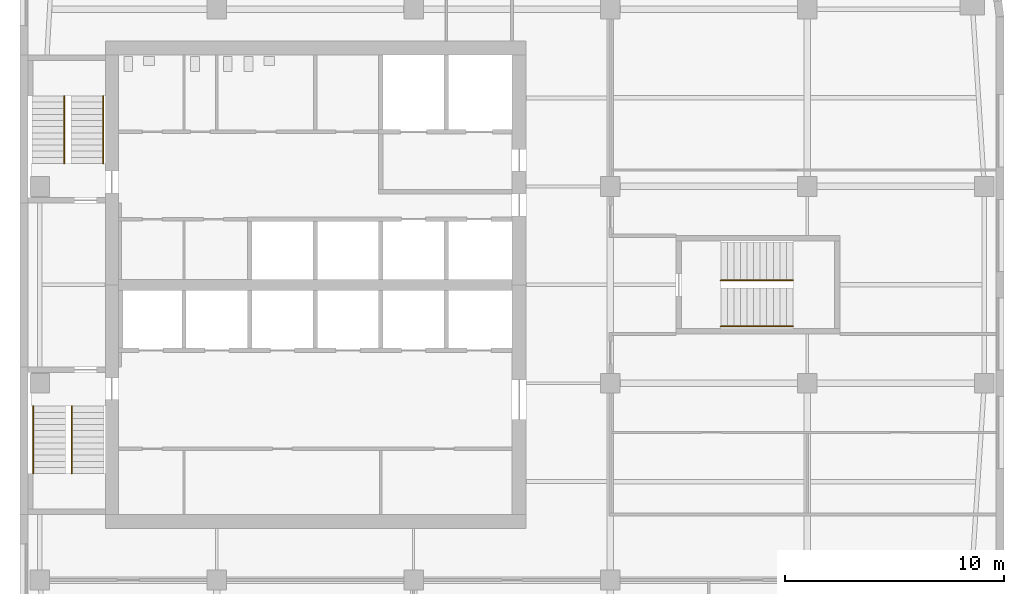
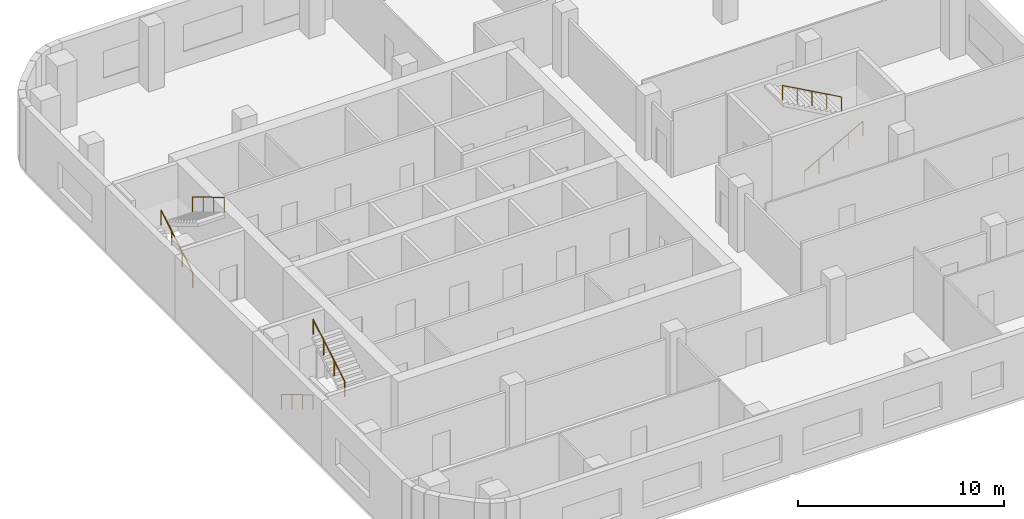
# One storey, part 6 of 7: 6 railings, 3 elements without a shape of their own.
"""IFC4 building model written with IfcOpenShell, lengths in metres."""

from ifc_helpers import new_model, si_unit, direction, frame, origin, origin_2d, place, context, subcontext, project, spatial, circle, extrude, material, type_object, element, aggregate, save


model = new_model("IFC4")

# Units and contexts
model_context = context("Model", 3, precision=1e-05, world=origin(), true_north=direction((0.0, 1.0)))
body_context = subcontext(model_context, "Body", "Model", "MODEL_VIEW")
ifc_project = project(units=[si_unit("LENGTHUNIT", "METRE"), si_unit("AREAUNIT", "SQUARE_METRE"), si_unit("VOLUMEUNIT", "CUBIC_METRE"), si_unit("PLANEANGLEUNIT", "RADIAN"), si_unit("MASSUNIT", "GRAM", prefix="KILO")], contexts=[model_context])

# Site, building, storey
site_placement = place(None, origin())
site = spatial("IfcSite", under=ifc_project, at=site_placement, CompositionType="ELEMENT")
building_placement = place(site_placement, origin())
building = spatial("IfcBuilding", under=site, at=building_placement, Name="Cinnabar Reach Civic Tower", CompositionType="ELEMENT")
storey_placement = place(building_placement, frame((0.0, 0.0, 173.0)))
storey = spatial("IfcBuildingStorey", under=building, at=storey_placement, Name="L41", CompositionType="ELEMENT", Elevation=173.0)

# Stair, railings
ifc_material_1 = material(Name="Concrete C40/50", Category="concrete")
stair_type = type_object("IfcStairType", Name="T1 Exit stair, half-turn", PredefinedType="HALF_TURN_STAIR", material=ifc_material_1)
stair_1_placement = place(storey_placement, origin())
stair_1 = element("IfcStair", 1, at=stair_1_placement, inside=storey, type_object=stair_type, Name="Stair T1-S1", PredefinedType="HALF_TURN_STAIR")
ifc_material_2 = material(Name="Stainless steel tube", Category="steel")
railing_type = type_object("IfcRailingType", Name="T1 Stair handrail, stainless tube 48", PredefinedType="HANDRAIL", material=ifc_material_2)
railing_1_placement = place(storey_placement, frame((0.6, 25.95, 0.1667)))
railing_1 = element("IfcRailing", 2, at=railing_1_placement, type_object=railing_type, Name="T1-S1 handrail 1", PredefinedType="HANDRAIL", context=body_context, shape_type="SweptSolid", body=[
    extrude(circle(Radius=0.024, at=origin_2d()), frame((0.0, 0.0, 0.876), z_axis=(0.0, -0.859296971757, 0.511476992962), x_axis=(1.0, 0.0, 0.0)), (0.0, 0.0, 1.0), 3.5843),
    extrude(circle(Radius=0.021, at=origin_2d()), origin(), (0.0, 0.0, 1.0), 0.852),
    extrude(circle(Radius=0.021, at=origin_2d()), frame((0.0, -1.0267, 0.6111)), (0.0, 0.0, 1.0), 0.852),
    extrude(circle(Radius=0.021, at=origin_2d()), frame((0.0, -2.0533, 1.2222)), (0.0, 0.0, 1.0), 0.852),
    extrude(circle(Radius=0.021, at=origin_2d()), frame((0.0, -3.08, 1.8333)), (0.0, 0.0, 1.0), 0.852),
])
railing_2_placement = place(storey_placement, frame((2.375, 22.87, 2.1667)))
railing_2 = element("IfcRailing", 3, at=railing_2_placement, type_object=railing_type, Name="T1-S1 handrail 2", PredefinedType="HANDRAIL", context=body_context, shape_type="SweptSolid", body=[
    extrude(circle(Radius=0.024, at=origin_2d()), frame((0.0, 0.0, 0.876), z_axis=(0.0, 0.859296971757, 0.511476992962), x_axis=(-1.0, 0.0, 0.0)), (0.0, 0.0, 1.0), 3.5843),
    extrude(circle(Radius=0.021, at=origin_2d()), origin(), (0.0, 0.0, 1.0), 0.852),
    extrude(circle(Radius=0.021, at=origin_2d()), frame((0.0, 1.0267, 0.6111)), (0.0, 0.0, 1.0), 0.852),
    extrude(circle(Radius=0.021, at=origin_2d()), frame((0.0, 2.0533, 1.2222)), (0.0, 0.0, 1.0), 0.852),
    extrude(circle(Radius=0.021, at=origin_2d()), frame((0.0, 3.08, 1.8333)), (0.0, 0.0, 1.0), 0.852),
])
aggregate(stair_1, [railing_1, railing_2])

stair_2_placement = place(storey_placement, origin())
stair_2 = element("IfcStair", 4, at=stair_2_placement, inside=storey, type_object=stair_type, Name="Stair T1-S2", PredefinedType="HALF_TURN_STAIR")
railing_3_placement = place(storey_placement, frame((2.025, 37.05, 0.1667)))
railing_3 = element("IfcRailing", 5, at=railing_3_placement, type_object=railing_type, Name="T1-S2 handrail 1", PredefinedType="HANDRAIL", context=body_context, shape_type="SweptSolid", body=[
    extrude(circle(Radius=0.024, at=origin_2d()), frame((0.0, 0.0, 0.876), z_axis=(0.0, 0.859296971757, 0.511476992962), x_axis=(-1.0, 0.0, 0.0)), (0.0, 0.0, 1.0), 3.5843),
    extrude(circle(Radius=0.021, at=origin_2d()), origin(), (0.0, 0.0, 1.0), 0.852),
    extrude(circle(Radius=0.021, at=origin_2d()), frame((0.0, 1.0267, 0.6111)), (0.0, 0.0, 1.0), 0.852),
    extrude(circle(Radius=0.021, at=origin_2d()), frame((0.0, 2.0533, 1.2222)), (0.0, 0.0, 1.0), 0.852),
    extrude(circle(Radius=0.021, at=origin_2d()), frame((0.0, 3.08, 1.8333)), (0.0, 0.0, 1.0), 0.852),
])
railing_4_placement = place(storey_placement, frame((3.8, 40.13, 2.1667)))
railing_4 = element("IfcRailing", 6, at=railing_4_placement, type_object=railing_type, Name="T1-S2 handrail 2", PredefinedType="HANDRAIL", context=body_context, shape_type="SweptSolid", body=[
    extrude(circle(Radius=0.024, at=origin_2d()), frame((0.0, 0.0, 0.876), z_axis=(0.0, -0.859296971757, 0.511476992962), x_axis=(1.0, 0.0, 0.0)), (0.0, 0.0, 1.0), 3.5843),
    extrude(circle(Radius=0.021, at=origin_2d()), origin(), (0.0, 0.0, 1.0), 0.852),
    extrude(circle(Radius=0.021, at=origin_2d()), frame((0.0, -1.0267, 0.6111)), (0.0, 0.0, 1.0), 0.852),
    extrude(circle(Radius=0.021, at=origin_2d()), frame((0.0, -2.0533, 1.2222)), (0.0, 0.0, 1.0), 0.852),
    extrude(circle(Radius=0.021, at=origin_2d()), frame((0.0, -3.08, 1.8333)), (0.0, 0.0, 1.0), 0.852),
])
aggregate(stair_2, [railing_3, railing_4])

stair_3_placement = place(storey_placement, origin())
stair_3 = element("IfcStair", 7, at=stair_3_placement, inside=storey, type_object=stair_type, Name="Stair T1-S3", PredefinedType="HALF_TURN_STAIR")
railing_5_placement = place(storey_placement, frame((32.05, 29.6, 0.1667)))
railing_5 = element("IfcRailing", 8, at=railing_5_placement, type_object=railing_type, Name="T1-S3 handrail 1", PredefinedType="HANDRAIL", context=body_context, shape_type="SweptSolid", body=[
    extrude(circle(Radius=0.024, at=origin_2d()), frame((0.0, 0.0, 0.876), z_axis=(0.874161024642, 0.0, 0.485636183781), x_axis=(0.0, 1.0, 0.0)), (0.0, 0.0, 1.0), 3.775),
    extrude(circle(Radius=0.021, at=origin_2d()), origin(), (0.0, 0.0, 1.0), 0.852),
    extrude(circle(Radius=0.021, at=origin_2d()), frame((0.825, 0.0, 0.4583)), (0.0, 0.0, 1.0), 0.852),
    extrude(circle(Radius=0.021, at=origin_2d()), frame((1.65, 0.0, 0.9167)), (0.0, 0.0, 1.0), 0.852),
    extrude(circle(Radius=0.021, at=origin_2d()), frame((2.475, 0.0, 1.375)), (0.0, 0.0, 1.0), 0.852),
    extrude(circle(Radius=0.021, at=origin_2d()), frame((3.3, 0.0, 1.8333)), (0.0, 0.0, 1.0), 0.852),
])
railing_6_placement = place(storey_placement, frame((35.35, 31.7, 2.1667)))
railing_6 = element("IfcRailing", 9, at=railing_6_placement, type_object=railing_type, Name="T1-S3 handrail 2", PredefinedType="HANDRAIL", context=body_context, shape_type="SweptSolid", body=[
    extrude(circle(Radius=0.024, at=origin_2d()), frame((0.0, 0.0, 0.876), z_axis=(-0.874161024642, 0.0, 0.485636183781), x_axis=(0.0, -1.0, 0.0)), (0.0, 0.0, 1.0), 3.775),
    extrude(circle(Radius=0.021, at=origin_2d()), origin(), (0.0, 0.0, 1.0), 0.852),
    extrude(circle(Radius=0.021, at=origin_2d()), frame((-0.825, 0.0, 0.4583)), (0.0, 0.0, 1.0), 0.852),
    extrude(circle(Radius=0.021, at=origin_2d()), frame((-1.65, 0.0, 0.9167)), (0.0, 0.0, 1.0), 0.852),
    extrude(circle(Radius=0.021, at=origin_2d()), frame((-2.475, 0.0, 1.375)), (0.0, 0.0, 1.0), 0.852),
    extrude(circle(Radius=0.021, at=origin_2d()), frame((-3.3, 0.0, 1.8333)), (0.0, 0.0, 1.0), 0.852),
])
aggregate(stair_3, [railing_5, railing_6])

save(model, "model.ifc")
